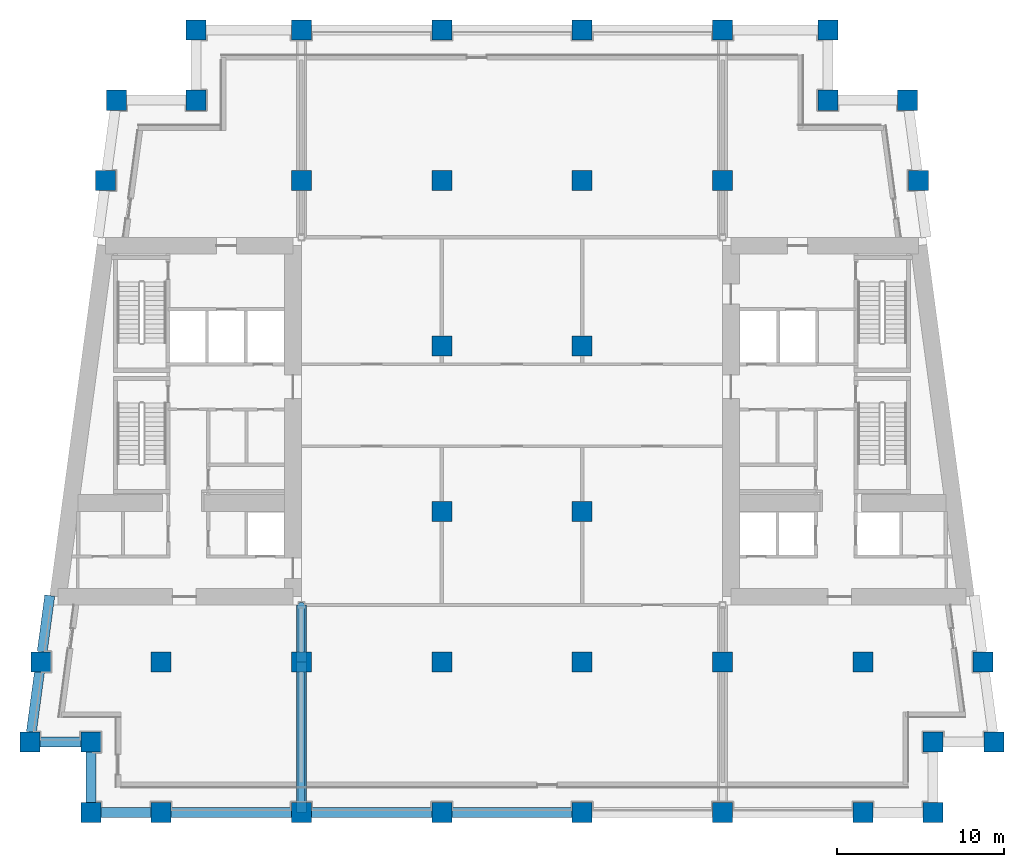
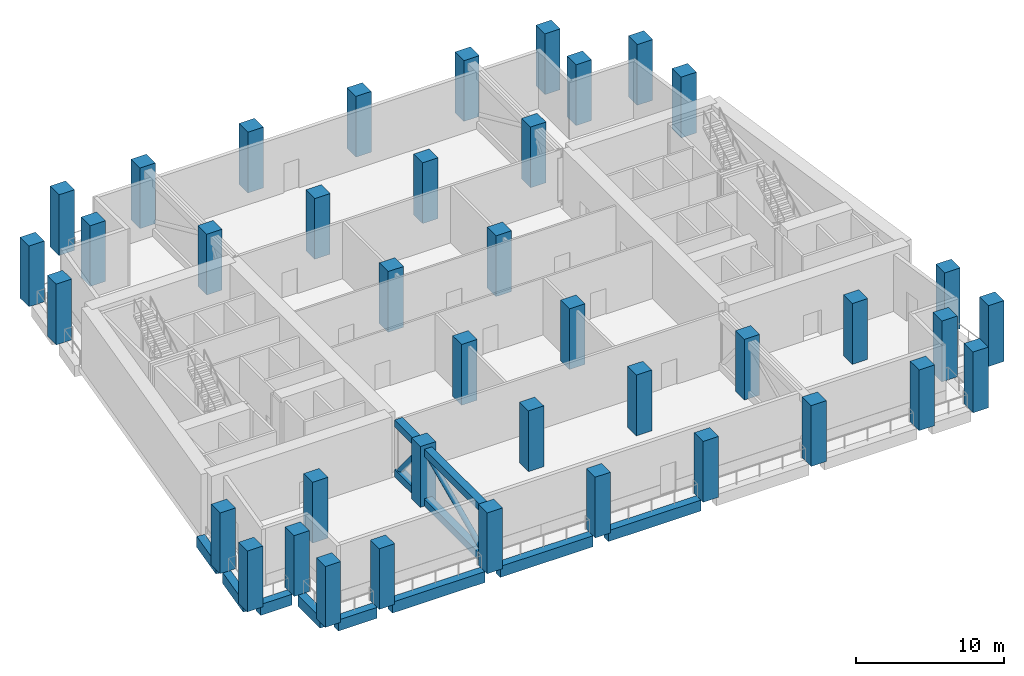
# One storey, part 1 of 11: 40 columns, 8 beams, 6 members.
"""IFC4 building model written with IfcOpenShell, lengths in metres."""

import ifcopenshell
import ifcopenshell.guid

model = None  # the IFC model being written
_history = None  # IfcOwnerHistory: only IFC2X3 demands one
_inside = {}  # id of a spatial element -> (the spatial element, [elements in it])
_under = {}  # id of a project, library or spatial element -> (it, [spatial elements below it])
_declared = {}  # id of a project -> (the project, [libraries it declares])
_typed = {}  # id of a type object -> (the type object, [elements of that type])
_made_of = {}  # id of a material, layer set ... -> (it, [elements and type objects made of it])


def new_model(schema):
    """Start an empty IFC model of exactly this schema.

    Asked for "IFC4X3", IfcOpenShell would pick the latest addendum, in which some entities
    have other attributes; the version numbers below select the first issue.
    IFC2X3 requires an IfcOwnerHistory on every rooted entity: one is made here for all.
    """
    global model, _history
    if schema == "IFC4X3":
        model = ifcopenshell.file(schema_version=(4, 3, 0, 0))
    else:
        model = ifcopenshell.file(schema=schema)
    _inside.clear()
    _under.clear()
    _declared.clear()
    _typed.clear()
    _made_of.clear()
    _history = None
    if model.schema == "IFC2X3":
        org = make("IfcOrganization", Name="unknown")
        user = make(
            "IfcPersonAndOrganization",
            ThePerson=make("IfcPerson", FamilyName="unknown"),
            TheOrganization=org,
        )
        app = make(
            "IfcApplication",
            ApplicationDeveloper=org,
            Version="unknown",
            ApplicationFullName="unknown",
            ApplicationIdentifier="unknown",
        )
        _history = make(
            "IfcOwnerHistory",
            OwningUser=user,
            OwningApplication=app,
            ChangeAction="ADDED",
            CreationDate=0,
        )
    return model


def make(cls, **values):
    """One entity of the class cls with the attributes given. An attribute that is None is left unset."""
    return model.create_entity(
        cls, **{name: value for name, value in values.items() if value is not None}
    )


def rooted(cls, **values):
    """An entity with a GlobalId (a new one), such as an element, a storey or a relation."""
    return make(cls, GlobalId=ifcopenshell.guid.new(), OwnerHistory=_history, **values)


def si_unit(unit_type, name, prefix=None):
    """IfcSIUnit, for example si_unit("LENGTHUNIT", "METRE", prefix="MILLI")."""
    return make("IfcSIUnit", UnitType=unit_type, Prefix=prefix, Name=name)


def assignment(units):
    """IfcUnitAssignment: the units of a project."""
    return None if units is None else make("IfcUnitAssignment", Units=units)


def point(xyz):
    """IfcCartesianPoint."""
    return None if xyz is None else make("IfcCartesianPoint", Coordinates=xyz)


def direction(xyz):
    """IfcDirection."""
    return None if xyz is None else make("IfcDirection", DirectionRatios=xyz)


def frame(location, z_axis=None, x_axis=None):
    """IfcAxis2Placement3D, a coordinate frame: its origin and axes. An axis left out is left unset."""
    return make(
        "IfcAxis2Placement3D",
        Location=point(location),
        Axis=direction(z_axis),
        RefDirection=direction(x_axis),
    )


def frame_2d(location, x_axis=None):
    """IfcAxis2Placement2D, a coordinate frame in the plane: its origin and x axis."""
    return make(
        "IfcAxis2Placement2D", Location=point(location), RefDirection=direction(x_axis)
    )


def origin():
    """The frame at (0, 0, 0) with its axes left unset."""
    return frame((0.0, 0.0, 0.0))


def origin_2d():
    """The frame at (0, 0) in the plane with its x axis left unset."""
    return frame_2d((0.0, 0.0))


def place(relative_to, where):
    """IfcLocalPlacement: puts the frame where relative to a parent placement (None: the world)."""
    return make(
        "IfcLocalPlacement", PlacementRelTo=relative_to, RelativePlacement=where
    )


def context(
    kind, dimensions, precision=None, world=None, true_north=None, identifier=None
):
    """IfcGeometricRepresentationContext, for example the 3D "Model" context."""
    return make(
        "IfcGeometricRepresentationContext",
        ContextIdentifier=identifier,
        ContextType=kind,
        CoordinateSpaceDimension=dimensions,
        Precision=precision,
        WorldCoordinateSystem=world,
        TrueNorth=true_north,
    )


def subcontext(parent, identifier, kind, view, scale=None):
    """IfcGeometricRepresentationSubContext, for example "Body" below "Model"."""
    return make(
        "IfcGeometricRepresentationSubContext",
        ContextIdentifier=identifier,
        ContextType=kind,
        ParentContext=parent,
        TargetScale=scale,
        TargetView=view,
    )


def project(units=None, contexts=None):
    """IfcProject with its units and contexts."""
    return rooted(
        "IfcProject",
        Name="project",
        RepresentationContexts=contexts,
        UnitsInContext=assignment(units),
    )


def spatial(cls, under=None, at=None, **own):
    """A site, building, storey or space (cls), placed at a placement, below another one or the project."""
    s = rooted(cls, ObjectPlacement=at, **own)
    if under is not None:
        _under.setdefault(under.id(), (under, []))[1].append(s)
    return s


def profile(cls, at=None, kind="AREA", **sizes):
    """A parametric profile (cls). Its sizes go by their IFC names, for example OverallWidth=200.0."""
    return make(cls, ProfileType=kind, Position=at, **sizes)


def rectangle(**sizes):
    """IfcRectangleProfileDef."""
    return profile("IfcRectangleProfileDef", **sizes)


def hollow_rectangle(**sizes):
    """IfcRectangleHollowProfileDef."""
    return profile("IfcRectangleHollowProfileDef", **sizes)


def hollow_circle(**sizes):
    """IfcCircleHollowProfileDef."""
    return profile("IfcCircleHollowProfileDef", **sizes)


def extrude(swept, where, along, depth):
    """IfcExtrudedAreaSolid: the profile swept, set in the frame where, extruded along a direction by depth."""
    return make(
        "IfcExtrudedAreaSolid",
        SweptArea=swept,
        Position=where,
        ExtrudedDirection=direction(along),
        Depth=depth,
    )


def shape(context_of_items, identifier, shape_type, items):
    """IfcShapeRepresentation: the items that make up one representation, for example the "Body"."""
    return make(
        "IfcShapeRepresentation",
        ContextOfItems=context_of_items,
        RepresentationIdentifier=identifier,
        RepresentationType=shape_type,
        Items=items,
    )


def material(Name=None, Category=None):
    """IfcMaterial."""
    return make("IfcMaterial", Name=Name, Category=Category)


def material_profile(
    of_material, cross_section, Name=None, Category=None, Priority=None
):
    """IfcMaterialProfile: a cross section and its material."""
    return make(
        "IfcMaterialProfile",
        Name=Name,
        Material=of_material,
        Profile=cross_section,
        Priority=Priority,
        Category=Category,
    )


def profile_set(profiles, Name=None, composite=None):
    """IfcMaterialProfileSet."""
    return make(
        "IfcMaterialProfileSet",
        Name=Name,
        MaterialProfiles=profiles,
        CompositeProfile=composite,
    )


def made_of(thing, what):
    """Note that an element or type object is made of a material, layer set ...; save() writes the relation."""
    if what is not None:
        _made_of.setdefault(what.id(), (what, []))[1].append(thing)
    return thing


def type_object(cls, material=None, **own):
    """A type object (cls), such as IfcWallType, which elements share."""
    return made_of(rooted(cls, **own), material)


def element(
    cls,
    number,
    at=None,
    inside=None,
    cuts=None,
    type_object=None,
    material=None,
    context=None,
    identifier="Body",
    shape_type=None,
    held_by="IfcProductDefinitionShape",
    body=None,
    shapes=None,
    **own,
):
    """One element of the class cls, such as IfcWall. Its Tag is "e" and its number.

    at: its placement. inside: the storey or other place that contains it. cuts: it is an
    opening in that element (IfcRelVoidsElement). A single representation is given by context,
    identifier, shape_type and body (its items); several are given by shapes. held_by: the class
    of the entity that holds the representations. save() writes the other relations.
    """
    e = rooted(cls, Tag="e%d" % number, ObjectPlacement=at, **own)
    if body is not None:
        shapes = [shape(context, identifier, shape_type, body)]
    if shapes is not None:
        e.Representation = make(held_by, Representations=shapes)
    if inside is not None:
        _inside.setdefault(inside.id(), (inside, []))[1].append(e)
    if cuts is not None:
        rooted(
            "IfcRelVoidsElement", RelatingBuildingElement=cuts, RelatedOpeningElement=e
        )
    if type_object is not None:
        _typed.setdefault(type_object.id(), (type_object, []))[1].append(e)
    return made_of(e, material)


def aggregate(whole, parts):
    """IfcRelAggregates: a whole, such as a stair, and the parts it consists of."""
    return rooted("IfcRelAggregates", RelatingObject=whole, RelatedObjects=parts)


def save(model, path):
    """Write the relations noted so far, then the file.

    IfcRelAggregates (storeys below a building ...), IfcRelContainedInSpatialStructure (elements
    in a storey), IfcRelDefinesByType, IfcRelAssociatesMaterial and IfcRelDeclares: one each for
    every whole, place, type object, material and project.
    """
    for whole, parts in _under.values():
        aggregate(whole, parts)
    for where, things in _inside.values():
        rooted(
            "IfcRelContainedInSpatialStructure",
            RelatedElements=things,
            RelatingStructure=where,
        )
    for kind, things in _typed.values():
        rooted("IfcRelDefinesByType", RelatedObjects=things, RelatingType=kind)
    for what, things in _made_of.values():
        rooted("IfcRelAssociatesMaterial", RelatedObjects=things, RelatingMaterial=what)
    for by, libraries in _declared.values():
        rooted("IfcRelDeclares", RelatingContext=by, RelatedDefinitions=libraries)
    model.write(path)


model = new_model("IFC4")

# Units and contexts
model_context = context("Model", 3, precision=1e-05, world=origin(), true_north=direction((0.0, 1.0)))
body_context = subcontext(model_context, "Body", "Model", "MODEL_VIEW")
ifc_project = project(units=[si_unit("LENGTHUNIT", "METRE"), si_unit("AREAUNIT", "SQUARE_METRE"), si_unit("VOLUMEUNIT", "CUBIC_METRE"), si_unit("PLANEANGLEUNIT", "RADIAN"), si_unit("MASSUNIT", "GRAM", prefix="KILO")], contexts=[model_context])

# Site, building, storey
site_placement = place(None, origin())
site = spatial("IfcSite", under=ifc_project, at=site_placement, CompositionType="ELEMENT")
building_placement = place(site_placement, origin())
building = spatial("IfcBuilding", under=site, at=building_placement, Name="Candeia Pilgrim Tower and Theatre", CompositionType="ELEMENT")
storey_placement = place(building_placement, frame((0.0, 0.0, 142.800048828125)))
storey = spatial("IfcBuildingStorey", under=building, at=storey_placement, Name="L33", CompositionType="ELEMENT", Elevation=142.800048828125)

# Columns
ifc_material_1 = material(Name="Concrete C70/85", Category="concrete")
ifc_material_profile_1 = material_profile(ifc_material_1, rectangle(XDim=1.199951171875, YDim=1.199951171875, at=origin_2d()))
ifc_profile_set_1 = profile_set([ifc_material_profile_1], Name="Concrete C70/85")
column_type = type_object("IfcColumnType", Name="RC 1200x1200 C70/85", PredefinedType="COLUMN", material=ifc_profile_set_1)
for number, where, z_axis, x_axis, name in (
    (1, (92.39990234375, 98.0, 0.0), (0.0, 0.0, 1.0), (1.0, 0.0, 0.0), "Column A1"),
    (2, (100.800048828125, 98.0, 0.0), (0.0, 0.0, 1.0), (1.0, 0.0, 0.0), "Column A2"),
    (3, (109.199951171875, 98.0, 0.0), (0.0, 0.0, 1.0), (1.0, 0.0, 0.0), "Column A3"),
    (4, (117.60009765625, 98.0, 0.0), (0.0, 0.0, 1.0), (1.0, 0.0, 0.0), "Column A4"),
    (5, (126.0, 98.0, 0.0), (0.0, 0.0, 1.0), (1.0, 0.0, 0.0), "Column A5"),
    (6, (134.39990234375, 98.0, 0.0), (0.0, 0.0, 1.0), (1.0, 0.0, 0.0), "Column A6"),
    (7, (88.199951171875, 98.0, 0.0), (0.0, 0.0, 1.0), (1.0, 0.0, 0.0), "Column AW"),
    (8, (138.60009765625, 98.0, 0.0), (0.0, 0.0, 1.0), (1.0, 0.0, 0.0), "Column AE"),
    (9, (88.199951171875, 102.199951171875, 0.0), (0.0, 0.0, 1.0), (1.0, 0.0, 0.0), "Column NSW"),
    (10, (138.60009765625, 102.199951171875, 0.0), (0.0, 0.0, 1.0), (1.0, 0.0, 0.0), "Column NSE"),
    (11, (94.5, 140.60009765625, 0.0), (0.0, 0.0, 1.0), (1.0, 0.0, 0.0), "Column NNW"),
    (12, (132.300048828125, 140.60009765625, 0.0), (0.0, 0.0, 1.0), (1.0, 0.0, 0.0), "Column NNE"),
    (13, (84.5654296875, 102.199951171875, 0.0), (0.0, 0.0, 1.0), (1.0, 0.0, 0.0), "Column LSW"),
    (14, (142.234619140625, 102.199951171875, 0.0), (0.0, 0.0, 1.0), (1.0, 0.0, 0.0), "Column LSE"),
    (15, (89.734619140625, 140.60009765625, 0.0), (0.0, 0.0, 1.0), (1.0, 0.0, 0.0), "Column LNW"),
    (16, (137.0654296875, 140.60009765625, 0.0), (0.0, 0.0, 1.0), (1.0, 0.0, 0.0), "Column LNE"),
    (17, (92.39990234375, 107.0, 0.0), (0.0, 0.0, 1.0), (1.0, 0.0, 0.0), "Column B1"),
    (18, (100.800048828125, 107.0, 0.0), (0.0, 0.0, 1.0), (1.0, 0.0, 0.0), "Column B2"),
    (19, (109.199951171875, 107.0, 0.0), (0.0, 0.0, 1.0), (1.0, 0.0, 0.0), "Column B3"),
    (20, (117.60009765625, 107.0, 0.0), (0.0, 0.0, 1.0), (1.0, 0.0, 0.0), "Column B4"),
    (21, (126.0, 107.0, 0.0), (0.0, 0.0, 1.0), (1.0, 0.0, 0.0), "Column B5"),
    (22, (134.39990234375, 107.0, 0.0), (0.0, 0.0, 1.0), (1.0, 0.0, 0.0), "Column B6"),
    (23, (85.21142578125, 107.0, 0.0), (0.0, 0.0, 1.0), (1.0, 0.0, 0.0), "Column BW"),
    (24, (141.58837890625, 107.0, 0.0), (0.0, 0.0, 1.0), (1.0, 0.0, 0.0), "Column BE"),
    (25, (109.199951171875, 116.0, 0.0), (0.0, 0.0, 1.0), (1.0, 0.0, 0.0), "Column C3"),
    (26, (117.60009765625, 116.0, 0.0), (0.0, 0.0, 1.0), (1.0, 0.0, 0.0), "Column C4"),
    (27, (109.199951171875, 125.89990234375, 0.0), (0.0, 0.0, 1.0), (1.0, 0.0, 0.0), "Column D3"),
    (28, (117.60009765625, 125.89990234375, 0.0), (0.0, 0.0, 1.0), (1.0, 0.0, 0.0), "Column D4"),
    (29, (100.800048828125, 135.800048828125, 0.0), (0.0, 0.0, 1.0), (1.0, 0.0, 0.0), "Column E2"),
    (30, (109.199951171875, 135.800048828125, 0.0), (0.0, 0.0, 1.0), (1.0, 0.0, 0.0), "Column E3"),
    (31, (117.60009765625, 135.800048828125, 0.0), (0.0, 0.0, 1.0), (1.0, 0.0, 0.0), "Column E4"),
    (32, (126.0, 135.800048828125, 0.0), (0.0, 0.0, 1.0), (1.0, 0.0, 0.0), "Column E5"),
    (33, (89.08837890625, 135.800048828125, 0.0), (0.0, 0.0, 1.0), (1.0, 0.0, 0.0), "Column EW"),
    (34, (137.71142578125, 135.800048828125, 0.0), (0.0, 0.0, 1.0), (1.0, 0.0, 0.0), "Column EE"),
    (35, (100.800048828125, 144.800048828125, 0.0), (0.0, 0.0, 1.0), (1.0, 0.0, 0.0), "Column F2"),
    (36, (109.199951171875, 144.800048828125, 0.0), (0.0, 0.0, 1.0), (1.0, 0.0, 0.0), "Column F3"),
    (37, (117.60009765625, 144.800048828125, 0.0), (0.0, 0.0, 1.0), (1.0, 0.0, 0.0), "Column F4"),
    (38, (126.0, 144.800048828125, 0.0), (0.0, 0.0, 1.0), (1.0, 0.0, 0.0), "Column F5"),
    (39, (94.5, 144.800048828125, 0.0), (0.0, 0.0, 1.0), (1.0, 0.0, 0.0), "Column FW"),
    (40, (132.300048828125, 144.800048828125, 0.0), (0.0, 0.0, 1.0), (1.0, 0.0, 0.0), "Column FE"),
):
    element("IfcColumn", number, at=place(storey_placement, frame(where, z_axis=z_axis, x_axis=x_axis)), inside=storey, type_object=column_type, Name=name, PredefinedType="COLUMN", context=body_context, shape_type="SweptSolid", body=[
        extrude(rectangle(XDim=1.199951171875, YDim=1.199951171875, at=origin_2d()), origin(), (0.0, 0.0, 1.0), 5.0),
    ])

# Members
ifc_material_2 = material(Name="Structural steel ASTM A572 Grade 50", Category="steel")
ifc_material_profile_2 = material_profile(ifc_material_2, hollow_rectangle(XDim=0.60009765625, YDim=0.60009765625, WallThickness=0.0400390625, at=origin_2d()))
ifc_profile_set_2 = profile_set([ifc_material_profile_2], Name="Structural steel ASTM A572 Grade 50")
member_type_1 = type_object("IfcMemberType", Name="BOX 600x600x40 chord", PredefinedType="CHORD", material=ifc_profile_set_2)
for number, where, z_axis, x_axis, name in (
    (41, (100.800048828125, 110.39990234375, 0.300048828125), (0.0, -1.0, 0.0), (1.0, 0.0, 0.0), "Outrigger truss bottom chord TO2SL33"),
    (42, (100.800048828125, 110.39990234375, 4.3798828125), (0.0, -1.0, 0.0), (1.0, 0.0, 0.0), "Outrigger truss top chord TO2SL33"),
):
    element("IfcMember", number, at=place(storey_placement, frame(where, z_axis=z_axis, x_axis=x_axis)), inside=storey, type_object=member_type_1, Name=name, PredefinedType="CHORD", context=body_context, shape_type="SweptSolid", body=[
        extrude(hollow_rectangle(XDim=0.60009765625, YDim=0.60009765625, WallThickness=0.0400390625, at=origin_2d()), origin(), (0.0, 0.0, 1.0), 3.39990234375),
    ])
for number, where, z_axis, x_axis, name in (
    (43, (100.800048828125, 107.0, 0.300048828125), (0.0, -1.0, 0.0), (1.0, 0.0, 0.0), "Outrigger truss bottom chord TO2SL33"),
    (44, (100.800048828125, 107.0, 4.3798828125), (0.0, -1.0, 0.0), (1.0, 0.0, 0.0), "Outrigger truss top chord TO2SL33"),
):
    element("IfcMember", number, at=place(storey_placement, frame(where, z_axis=z_axis, x_axis=x_axis)), inside=storey, type_object=member_type_1, Name=name, PredefinedType="CHORD", context=body_context, shape_type="SweptSolid", body=[
        extrude(hollow_rectangle(XDim=0.60009765625, YDim=0.60009765625, WallThickness=0.0400390625, at=origin_2d()), origin(), (0.0, 0.0, 1.0), 9.0),
    ])
ifc_material_profile_3 = material_profile(ifc_material_2, hollow_circle(Radius=0.203125, WallThickness=0.01611328125, at=origin_2d()))
ifc_profile_set_3 = profile_set([ifc_material_profile_3], Name="Structural steel ASTM A572 Grade 50")
member_type_2 = type_object("IfcMemberType", Name="CHS 406x16 brace", PredefinedType="BRACE", material=ifc_profile_set_3)
member_1_placement = place(storey_placement, frame((100.800048828125, 110.39990234375, 0.300048828125), z_axis=(0.0, -0.640188921368, 0.768217511488), x_axis=(1.0, 0.0, 0.0)))
element("IfcMember", 45, at=member_1_placement, inside=storey, type_object=member_type_2, Name="Outrigger truss diagonal TO2SL33", PredefinedType="BRACE", context=body_context, shape_type="SweptSolid", body=[
    extrude(hollow_circle(Radius=0.203125, WallThickness=0.01611328125, at=origin_2d()), origin(), (0.0, 0.0, 1.0), 5.310791015625),
])
member_2_placement = place(storey_placement, frame((100.800048828125, 98.0, 0.300048828125), z_axis=(0.0, 0.910788217597, 0.41287385808), x_axis=(-1.0, 0.0, 0.0)))
element("IfcMember", 46, at=member_2_placement, inside=storey, type_object=member_type_2, Name="Outrigger truss diagonal TO2SL33", PredefinedType="BRACE", context=body_context, shape_type="SweptSolid", body=[
    extrude(hollow_circle(Radius=0.203125, WallThickness=0.01611328125, at=origin_2d()), origin(), (0.0, 0.0, 1.0), 9.881591796875),
])

# Beams
ifc_material_profile_4 = material_profile(ifc_material_1, rectangle(XDim=0.60009765625, YDim=0.89990234375, at=origin_2d()))
ifc_profile_set_4 = profile_set([ifc_material_profile_4], Name="Concrete C70/85")
beam_type = type_object("IfcBeamType", Name="RC 600x900 C70/85", PredefinedType="BEAM", material=ifc_profile_set_4)
beam_1_placement = place(storey_placement, frame((88.800048828125, 98.0, -0.449951171875), z_axis=(1.0, 0.0, 0.0), x_axis=(0.0, 1.0, 0.0)))
element("IfcBeam", 47, at=beam_1_placement, inside=storey, type_object=beam_type, Name="Spandrel beam L33-01", PredefinedType="BEAM", context=body_context, shape_type="SweptSolid", body=[
    extrude(rectangle(XDim=0.60009765625, YDim=0.89990234375, at=origin_2d()), origin(), (0.0, 0.0, 1.0), 3.0),
])
beam_2_placement = place(storey_placement, frame((93.0, 98.0, -0.449951171875), z_axis=(1.0, 0.0, 0.0), x_axis=(0.0, 1.0, 0.0)))
element("IfcBeam", 48, at=beam_2_placement, inside=storey, type_object=beam_type, Name="Spandrel beam L33-02", PredefinedType="BEAM", context=body_context, shape_type="SweptSolid", body=[
    extrude(rectangle(XDim=0.60009765625, YDim=0.89990234375, at=origin_2d()), origin(), (0.0, 0.0, 1.0), 7.199951171875),
])
beam_3_placement = place(storey_placement, frame((101.39990234375, 98.0, -0.449951171875), z_axis=(1.0, 0.0, 0.0), x_axis=(0.0, 1.0, 0.0)))
element("IfcBeam", 49, at=beam_3_placement, inside=storey, type_object=beam_type, Name="Spandrel beam L33-03", PredefinedType="BEAM", context=body_context, shape_type="SweptSolid", body=[
    extrude(rectangle(XDim=0.60009765625, YDim=0.89990234375, at=origin_2d()), origin(), (0.0, 0.0, 1.0), 7.2001953125),
])
beam_4_placement = place(storey_placement, frame((109.800048828125, 98.0, -0.449951171875), z_axis=(1.0, 0.0, 0.0), x_axis=(0.0, 1.0, 0.0)))
element("IfcBeam", 50, at=beam_4_placement, inside=storey, type_object=beam_type, Name="Spandrel beam L33-04", PredefinedType="BEAM", context=body_context, shape_type="SweptSolid", body=[
    extrude(rectangle(XDim=0.60009765625, YDim=0.89990234375, at=origin_2d()), origin(), (0.0, 0.0, 1.0), 7.199951171875),
])
beam_5_placement = place(storey_placement, frame((85.74560546875, 110.966796875, -0.449951171875), z_axis=(-0.133458165992, -0.99105444751, 0.0), x_axis=(0.99105444751, -0.133458165992, 0.0)))
element("IfcBeam", 51, at=beam_5_placement, inside=storey, type_object=beam_type, Name="Spandrel beam L33-25", PredefinedType="BEAM", context=body_context, shape_type="SweptSolid", body=[
    extrude(rectangle(XDim=0.60009765625, YDim=0.89990234375, at=origin_2d()), origin(), (0.0, 0.0, 1.0), 3.39697265625),
])
beam_6_placement = place(storey_placement, frame((85.130859375, 106.39990234375, -0.449951171875), z_axis=(-0.133418359924, -0.991059807093, 0.0), x_axis=(0.991059807093, -0.133418359924, 0.0)))
element("IfcBeam", 52, at=beam_6_placement, inside=storey, type_object=beam_type, Name="Spandrel beam L33-26", PredefinedType="BEAM", context=body_context, shape_type="SweptSolid", body=[
    extrude(rectangle(XDim=0.60009765625, YDim=0.89990234375, at=origin_2d()), origin(), (0.0, 0.0, 1.0), 3.63232421875),
])
beam_7_placement = place(storey_placement, frame((85.165283203125, 102.199951171875, -0.449951171875), z_axis=(1.0, 0.0, 0.0), x_axis=(0.0, 1.0, 0.0)))
element("IfcBeam", 53, at=beam_7_placement, inside=storey, type_object=beam_type, Name="Spandrel beam L33-27", PredefinedType="BEAM", context=body_context, shape_type="SweptSolid", body=[
    extrude(rectangle(XDim=0.60009765625, YDim=0.89990234375, at=origin_2d()), origin(), (0.0, 0.0, 1.0), 2.434814453125),
])
beam_8_placement = place(storey_placement, frame((88.199951171875, 101.60009765625, -0.449951171875), z_axis=(0.0, -1.0, 0.0), x_axis=(1.0, 0.0, 0.0)))
element("IfcBeam", 54, at=beam_8_placement, inside=storey, type_object=beam_type, Name="Spandrel beam L33-28", PredefinedType="BEAM", context=body_context, shape_type="SweptSolid", body=[
    extrude(rectangle(XDim=0.60009765625, YDim=0.89990234375, at=origin_2d()), origin(), (0.0, 0.0, 1.0), 3.0),
])

save(model, "model.ifc")
